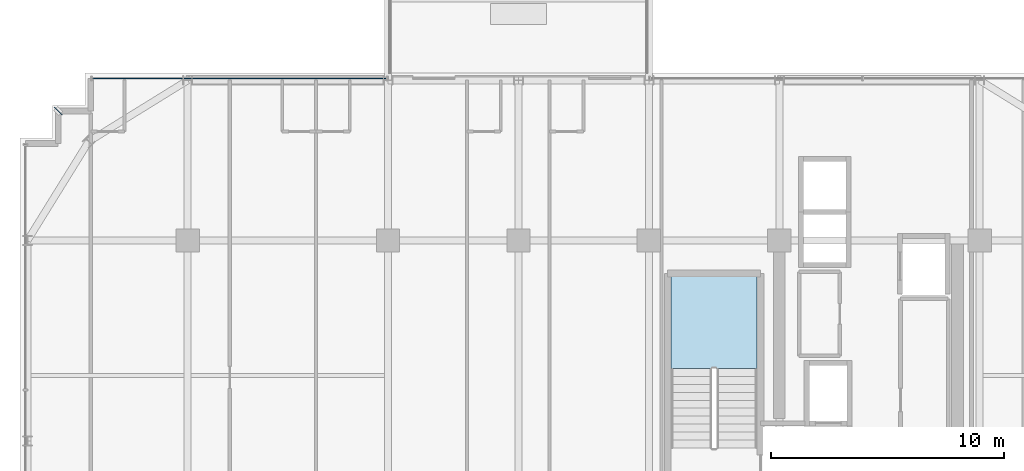
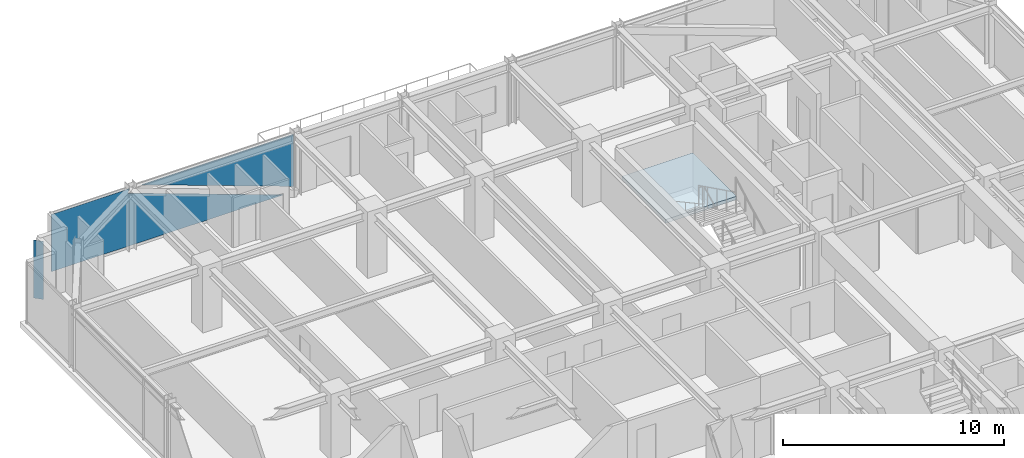
# One storey, part 33 of 43: 2 plates, 1 slab, 2 elements without a shape of their own.
"""IFC4 building model written with IfcOpenShell, lengths in metres."""

from ifc_helpers import new_model, si_unit, direction, frame, origin, origin_2d, place, context, subcontext, project, spatial, polyline, rectangle, outline, extrude, source, transform, mapped, material, layer, layer_set, type_object, element, aggregate, save


model = new_model("IFC4")

# Units and contexts
model_context = context("Model", 3, precision=1e-05, world=origin(), true_north=direction((0.0, 1.0)))
body_context = subcontext(model_context, "Body", "Model", "MODEL_VIEW")
ifc_project = project(units=[si_unit("LENGTHUNIT", "METRE"), si_unit("AREAUNIT", "SQUARE_METRE"), si_unit("VOLUMEUNIT", "CUBIC_METRE"), si_unit("PLANEANGLEUNIT", "RADIAN"), si_unit("MASSUNIT", "GRAM", prefix="KILO")], contexts=[model_context])

# Site, building, storey
site_placement = place(None, origin())
site = spatial("IfcSite", under=ifc_project, at=site_placement, CompositionType="ELEMENT")
building_placement = place(site_placement, origin())
building = spatial("IfcBuilding", under=site, at=building_placement, Name="Nahalor Promenade Grand Hotel", CompositionType="ELEMENT")
storey_placement = place(building_placement, frame((0.0, 0.0, 204.89990234375)))
storey = spatial("IfcBuildingStorey", under=building, at=storey_placement, Name="L52", CompositionType="ELEMENT", Elevation=204.89990234375)

# Curtain wall, plate
ifc_material_1 = material(Name="Anodised Bronze Aluminium EN AW-6063 T6", Category="aluminium")
curtain_wall_type = type_object("IfcCurtainWallType", Name="CW2 Typical Hotel Flush Bronze Unitised Curtain Wall", PredefinedType="USERDEFINED", material=ifc_material_1)
curtain_wall_placement = place(storey_placement, origin())
curtain_wall = element("IfcCurtainWall", 1, at=curtain_wall_placement, inside=storey, type_object=curtain_wall_type, Name="L52 Curtain Wall CW-L52-N-1", ObjectType="UNITISED_CURTAIN_WALL", PredefinedType="USERDEFINED")
ifc_material_2 = material(Name="Low-E Laminated Solar Glass", Category="glass")
ifc_layer_1 = layer(ifc_material_2, 0.028076171875)
ifc_layer_set_1 = layer_set([ifc_layer_1], Name="Low-E Laminated Solar Glass")
plate_type_1 = type_object("IfcPlateType", Name="CWP2 Bronze Low-E Vision IGU 28mm", PredefinedType="CURTAIN_PANEL", material=ifc_layer_set_1)
plate_1_placement = place(storey_placement, frame((-14.780029296875, 23.9599609375, 0.130126953125), z_axis=(0.0, 0.0, 1.0), x_axis=(1.0, 0.0, 0.0)))
plate_1 = element("IfcPlate", 2, at=plate_1_placement, type_object=plate_type_1, Name="CW-L52-N-1 Glazing Panel 0-0", PredefinedType="CURTAIN_PANEL", context=body_context, shape_type="SweptSolid", body=[
    extrude(outline(polyline([(-6.31494140625, 3.14990234375), (-6.31494140625, 0.0), (5.773681640625, 0.0), (-2.320068359375, 2.927001953125), (-2.2392578125, 3.14990234375), (-6.31494140625, 3.14990234375)])), frame((0.0, 0.01416015625, 0.0), z_axis=(0.0, -1.0, 0.0), x_axis=(1.0, 0.0, 0.0)), (0.0, 0.0, 1.0), 0.028076171875),
    extrude(outline(polyline([(6.31494140625, 0.28271484375), (6.31494140625, 3.14990234375), (-1.61376953125, 3.14990234375), (6.31494140625, 0.28271484375)])), frame((0.0, 0.01416015625, 0.0), z_axis=(0.0, -1.0, 0.0), x_axis=(1.0, 0.0, 0.0)), (0.0, 0.0, 1.0), 0.028076171875),
])
aggregate(curtain_wall, [plate_1])

# Stair, slab
ifc_material_3 = material(Name="Concrete B-50 (C40/50)", Category="concrete")
stair_type = type_object("IfcStairType", Name="Stair-ST1", PredefinedType="HALF_TURN_STAIR", material=ifc_material_3)
stair_placement = place(storey_placement, origin())
stair = element("IfcStair", 3, at=stair_placement, inside=storey, type_object=stair_type, Name="L52 ST1", PredefinedType="HALF_TURN_STAIR")
ifc_layer_2 = layer(ifc_material_3, 0.199951171875)
ifc_layer_set_2 = layer_set([ifc_layer_2], Name="Concrete B-50 (C40/50)")
slab_type = type_object("IfcSlabType", Name="Landing-ST1", PredefinedType="LANDING", material=ifc_layer_set_2)
slab_placement = place(storey_placement, frame((0.0, 0.0, 1.650146484375)))
slab = element("IfcSlab", 4, at=slab_placement, type_object=slab_type, Name="ST1 landing 1", PredefinedType="LANDING", context=body_context, shape_type="SweptSolid", body=[
    extrude(outline(polyline([(7.449951171875, 11.5), (7.449951171875, 15.449951171875), (3.75, 15.449951171875), (3.75, 11.5), (7.449951171875, 11.5)])), origin(), (0.0, 0.0, 1.0), 0.199951171875),
])
aggregate(stair, [slab])

# Plate
ifc_layer_3 = layer(ifc_material_1, 0.02001953125)
ifc_layer_set_3 = layer_set([ifc_layer_3], Name="Anodised Bronze Aluminium EN AW-6063 T6")
plate_type_2 = type_object("IfcPlateType", Name="Plate-CornerFin-20", PredefinedType="SHEET", material=ifc_layer_set_3)
shared_shape = source(origin(), body_context, "Body", "SweptSolid", [
    extrude(rectangle(XDim=0.449951171875, YDim=0.02001953125, at=origin_2d()), origin(), (0.0, 0.0, 1.0), 3.199951171875),
])
plate_2_placement = place(storey_placement, frame((-22.56005859375, 22.56005859375, 0.0), z_axis=(0.0, 0.0, 1.0), x_axis=(-0.707106781187, 0.707106781187, 0.0)))
element("IfcPlate", 5, at=plate_2_placement, inside=storey, type_object=plate_type_2, Name="FIN-L52-NW", PredefinedType="SHEET", context=body_context, shape_type="MappedRepresentation", body=[
    mapped(shared_shape, transform((0.0, 0.0, 0.0), scale=1.0)),
])

save(model, "model.ifc")
